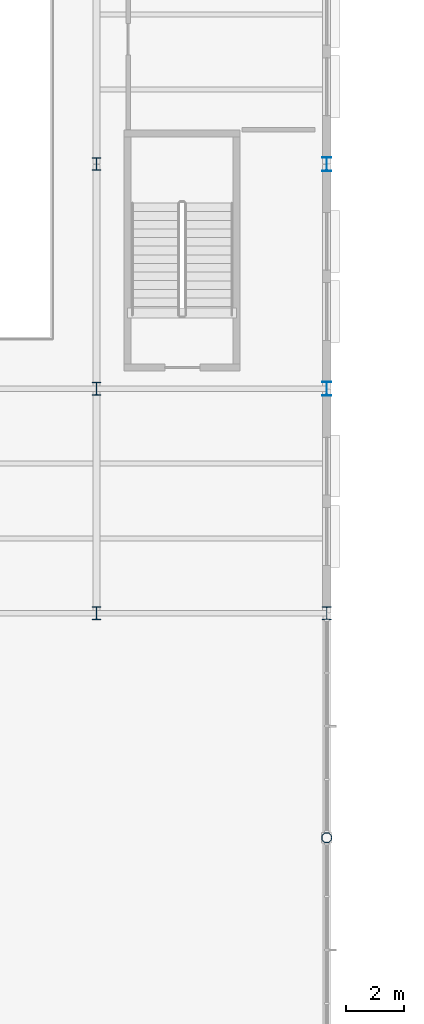
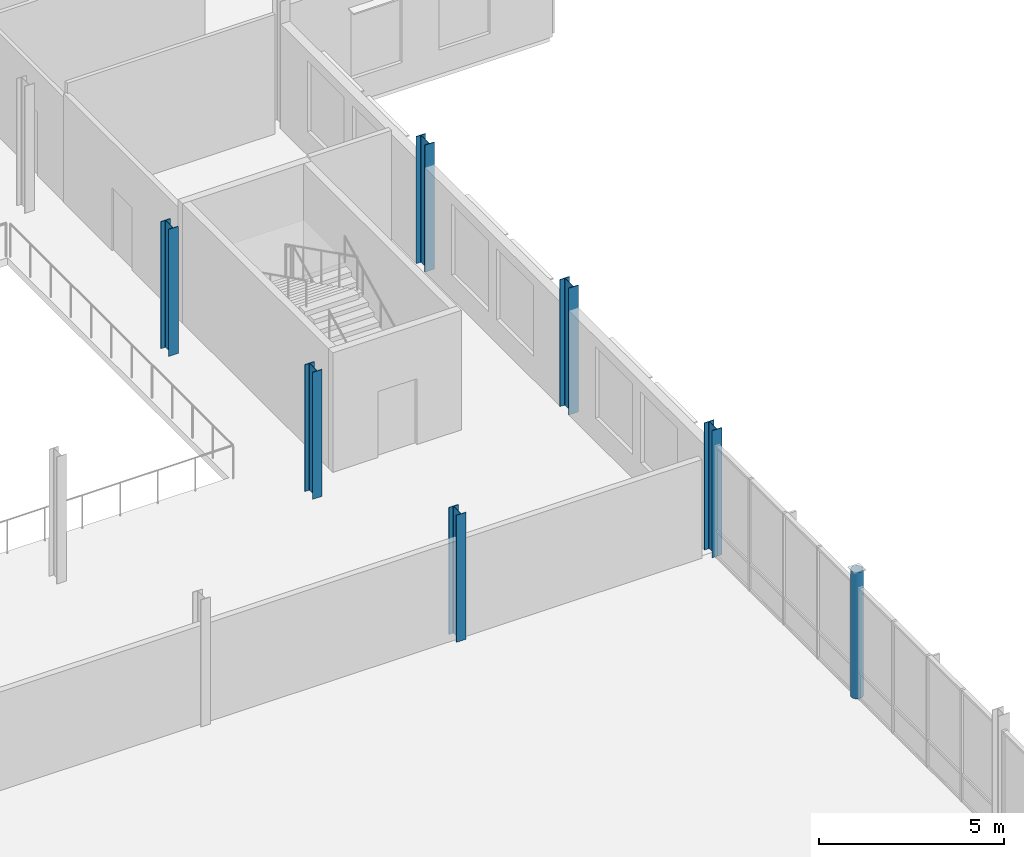
# One storey, part 7 of 75: 7 columns.
"""IFC4 building model written with IfcOpenShell, lengths in metres."""

from ifc_helpers import new_model, si_unit, direction, frame, origin, origin_2d, place, context, subcontext, project, spatial, hollow_circle, i_section, extrude, material, material_profile, profile_set, type_object, element, save


model = new_model("IFC4")

# Units and contexts
model_context = context("Model", 3, precision=1e-05, world=origin(), true_north=direction((0.0, 1.0)))
body_context = subcontext(model_context, "Body", "Model", "MODEL_VIEW")
ifc_project = project(units=[si_unit("LENGTHUNIT", "METRE"), si_unit("AREAUNIT", "SQUARE_METRE"), si_unit("VOLUMEUNIT", "CUBIC_METRE"), si_unit("PLANEANGLEUNIT", "RADIAN"), si_unit("MASSUNIT", "GRAM", prefix="KILO")], contexts=[model_context])

# Site, building, storey
site_placement = place(None, origin())
site = spatial("IfcSite", under=ifc_project, at=site_placement, CompositionType="ELEMENT")
building_placement = place(site_placement, origin())
building = spatial("IfcBuilding", under=site, at=building_placement, Name="Yukiwa Park Conservatory and Herbarium", CompositionType="ELEMENT")
storey_placement = place(building_placement, frame((0.0, 0.0, 4.800048828125)))
storey = spatial("IfcBuildingStorey", under=building, at=storey_placement, Name="L01", CompositionType="ELEMENT", Elevation=4.800048828125)

# Columns
ifc_material_1 = material(Name="Steel Q355D", Category="steel")
ifc_material_profile_1 = material_profile(ifc_material_1, hollow_circle(Radius=0.177734375, WallThickness=0.012451171875, at=origin_2d()), Name="CHS 355.6x12.5")
ifc_profile_set_1 = profile_set([ifc_material_profile_1], Name="Steel Q355D")
column_type_1 = type_object("IfcColumnType", Name="COL-CN-CHS356", PredefinedType="COLUMN", material=ifc_profile_set_1)
column_placement = place(storey_placement, frame((108.0, 39.0, 0.0), z_axis=(0.0, 0.0, 1.0), x_axis=(1.0, 0.0, 0.0)))
element("IfcColumn", 1, at=column_placement, inside=storey, type_object=column_type_1, Name="L01 column V2-X1080-Y390", PredefinedType="COLUMN", context=body_context, shape_type="SweptSolid", body=[
    extrude(hollow_circle(Radius=0.177734375, WallThickness=0.012451171875, at=origin_2d()), origin(), (0.0, 0.0, 1.0), 4.176025390625),
])
ifc_material_2 = material(Name="Steel Q355D", Category="steel")
ifc_material_profile_2 = material_profile(ifc_material_2, i_section(OverallWidth=0.300048828125, OverallDepth=0.43994140625, WebThickness=0.010986328125, FlangeThickness=0.01806640625, FilletRadius=0.02392578125, at=origin_2d()), Name="HM 440x300x11x18")
ifc_profile_set_2 = profile_set([ifc_material_profile_2], Name="Steel Q355D")
column_type_2 = type_object("IfcColumnType", Name="COL-VS-HM440", PredefinedType="COLUMN", material=ifc_profile_set_2)
for number, where, z_axis, x_axis, name in (
    (2, (100.0, 46.800048828125, 0.0), (0.0, 0.0, 1.0), (1.0, 0.0, 0.0), "L01 column V3-X1000-Y468"),
    (3, (100.0, 54.60009765625, 0.0), (0.0, 0.0, 1.0), (1.0, 0.0, 0.0), "L01 column V3-X1000-Y546"),
    (4, (100.0, 62.39990234375, 0.0), (0.0, 0.0, 1.0), (1.0, 0.0, 0.0), "L01 column V3-X1000-Y624"),
    (5, (108.0, 46.800048828125, 0.0), (0.0, 0.0, 1.0), (1.0, 0.0, 0.0), "L01 column V3-X1080-Y468"),
):
    element("IfcColumn", number, at=place(storey_placement, frame(where, z_axis=z_axis, x_axis=x_axis)), inside=storey, type_object=column_type_2, Name=name, PredefinedType="COLUMN", context=body_context, shape_type="SweptSolid", body=[
        extrude(i_section(OverallWidth=0.300048828125, OverallDepth=0.43994140625, WebThickness=0.010986328125, FlangeThickness=0.01806640625, FilletRadius=0.02392578125, at=origin_2d()), origin(), (0.0, 0.0, 1.0), 4.199951171875),
    ])
ifc_material_3 = material(Name="Steel Q355D", Category="steel")
ifc_material_profile_3 = material_profile(ifc_material_3, i_section(OverallWidth=0.300048828125, OverallDepth=0.488037109375, WebThickness=0.010986328125, FlangeThickness=0.01806640625, FilletRadius=0.02392578125, at=origin_2d()), Name="HM 488x300x11x18")
ifc_profile_set_3 = profile_set([ifc_material_profile_3], Name="Steel Q355D")
column_type_3 = type_object("IfcColumnType", Name="COL-VS-HM488-EXT", PredefinedType="COLUMN", material=ifc_profile_set_3)
for number, where, z_axis, x_axis, name in (
    (6, (108.0, 54.60009765625, 0.0), (0.0, 0.0, 1.0), (1.0, 0.0, 0.0), "L01 column V3-X1080-Y546"),
    (7, (108.0, 62.39990234375, 0.0), (0.0, 0.0, 1.0), (1.0, 0.0, 0.0), "L01 column V3-X1080-Y624"),
):
    element("IfcColumn", number, at=place(storey_placement, frame(where, z_axis=z_axis, x_axis=x_axis)), inside=storey, type_object=column_type_3, Name=name, PredefinedType="COLUMN", context=body_context, shape_type="SweptSolid", body=[
        extrude(i_section(OverallWidth=0.300048828125, OverallDepth=0.488037109375, WebThickness=0.010986328125, FlangeThickness=0.01806640625, FilletRadius=0.02392578125, at=origin_2d()), origin(), (0.0, 0.0, 1.0), 4.199951171875),
    ])

save(model, "model.ifc")
